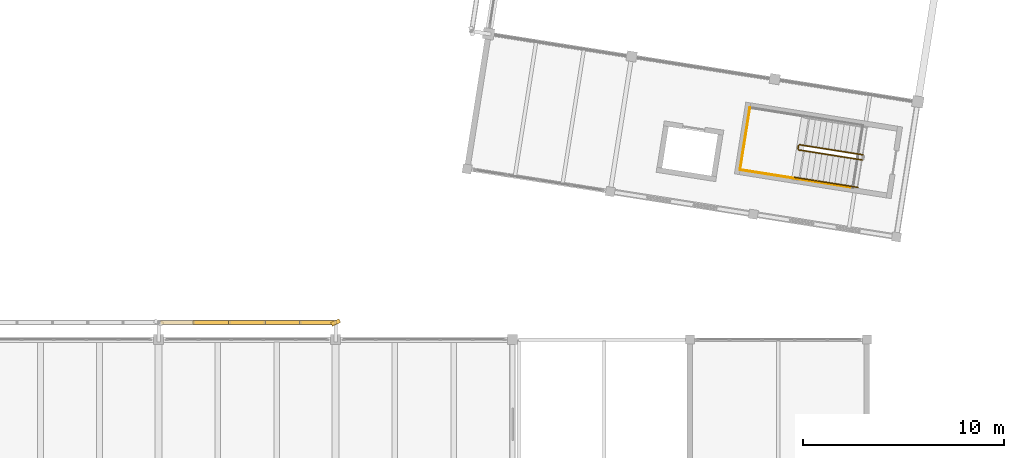
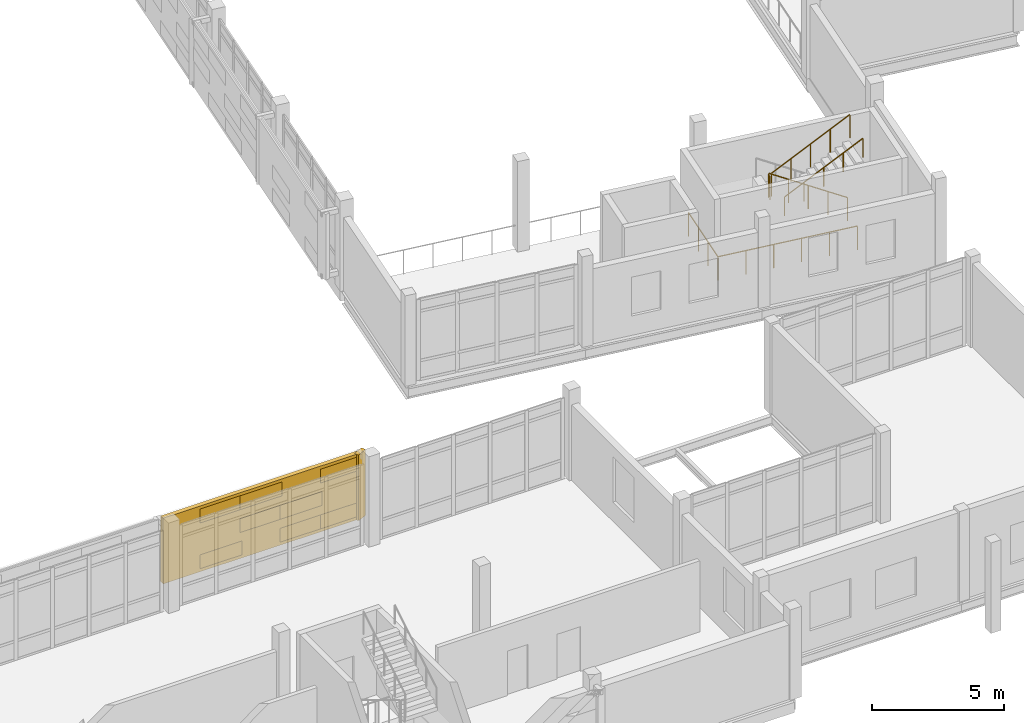
# One storey, part 127 of 137: 9 coverings, 6 railings, 1 shading device.
"""IFC4 building model written with IfcOpenShell, lengths in metres."""

from ifc_helpers import new_model, si_unit, direction, frame, origin, origin_2d, place, context, subcontext, project, spatial, rectangle, circle, extrude, material, layer, layer_set, type_object, element, save


model = new_model("IFC4")

# Units and contexts
model_context = context("Model", 3, precision=1e-05, world=origin(), true_north=direction((0.0, 1.0)))
body_context = subcontext(model_context, "Body", "Model", "MODEL_VIEW")
ifc_project = project(units=[si_unit("LENGTHUNIT", "METRE"), si_unit("AREAUNIT", "SQUARE_METRE"), si_unit("VOLUMEUNIT", "CUBIC_METRE"), si_unit("PLANEANGLEUNIT", "RADIAN"), si_unit("MASSUNIT", "GRAM", prefix="KILO")], contexts=[model_context])

# Site, building, storey
site_placement = place(None, origin())
site = spatial("IfcSite", under=ifc_project, at=site_placement, CompositionType="ELEMENT")
building_placement = place(site_placement, origin())
building = spatial("IfcBuilding", under=site, at=building_placement, Name="Cinderway Yard Community Centre", CompositionType="ELEMENT")
storey_placement = place(building_placement, frame((0.0, 0.0, 4.800048828125)))
storey = spatial("IfcBuildingStorey", under=building, at=storey_placement, Name="L01", CompositionType="ELEMENT", Elevation=4.800048828125)

# Coverings
ifc_material_1 = material(Name="Brick Masonry", Category="masonry")
ifc_layer = layer(ifc_material_1, 0.18994140625, Name="Brick Masonry")
ifc_layer_set = layer_set([ifc_layer], Name="Brick Masonry")
covering_type = type_object("IfcCoveringType", Name="ENV-COV-BRK-SCREEN", PredefinedType="CLADDING", material=ifc_layer_set)
covering_placement = place(storey_placement, frame((110.39990234375, 23.64990234375, 0.64990234375), z_axis=(0.0, 0.0, 1.0), x_axis=(0.913545457643, 0.406736643076, 0.0)))
element("IfcCovering", 1, at=covering_placement, inside=storey, type_object=covering_type, Name="Deconstructivist folded brick fin 0818", PredefinedType="CLADDING", context=body_context, shape_type="SweptSolid", body=[
    extrude(rectangle(XDim=0.4599609375, YDim=0.199951171875, at=origin_2d()), origin(), (0.0, 0.0, 1.0), 3.050048828125),
])
for number, where, z_axis, x_axis, name in (
    (2, (104.239990234375, 23.64990234375, 0.7900390625), (0.0, 0.0, 1.0), (1.0, 0.0, 0.0), "Open-bond perforated brick screen course 00870"),
    (3, (107.760009765625, 23.64990234375, 0.7900390625), (0.0, 0.0, 1.0), (1.0, 0.0, 0.0), "Open-bond perforated brick screen course 00871"),
    (4, (109.52001953125, 23.64990234375, 0.7900390625), (0.0, 0.0, 1.0), (1.0, 0.0, 0.0), "Open-bond perforated brick screen course 00872"),
    (5, (106.0, 23.64990234375, 1.85205078125), (0.0, 0.0, 1.0), (1.0, 0.0, 0.0), "Open-bond perforated brick screen course 00874"),
    (6, (107.760009765625, 23.64990234375, 1.85205078125), (0.0, 0.0, 1.0), (1.0, 0.0, 0.0), "Open-bond perforated brick screen course 00875"),
    (7, (104.239990234375, 23.64990234375, 2.9140625), (0.0, 0.0, 1.0), (1.0, 0.0, 0.0), "Open-bond perforated brick screen course 00876"),
    (8, (106.0, 23.64990234375, 2.9140625), (0.0, 0.0, 1.0), (1.0, 0.0, 0.0), "Open-bond perforated brick screen course 00877"),
    (9, (109.52001953125, 23.64990234375, 2.9140625), (0.0, 0.0, 1.0), (1.0, 0.0, 0.0), "Open-bond perforated brick screen course 00878"),
):
    element("IfcCovering", number, at=place(storey_placement, frame(where, z_axis=z_axis, x_axis=x_axis)), inside=storey, type_object=covering_type, Name=name, PredefinedType="CLADDING", context=body_context, shape_type="SweptSolid", body=[
        extrude(rectangle(XDim=1.840087890625, YDim=0.18994140625, at=origin_2d()), origin(), (0.0, 0.0, 1.0), 0.64599609375),
    ])

# Shading device
shading_device_type = type_object("IfcShadingDeviceType", Name="ENV-SHD-BRICKSCREEN-A", PredefinedType="USERDEFINED", material=ifc_material_1)
shading_device_placement = place(storey_placement, frame((106.0, 23.64990234375, 0.64990234375), z_axis=(0.0, 0.0, 1.0), x_axis=(1.0, 0.0, 0.0)))
element("IfcShadingDevice", 10, at=shading_device_placement, inside=storey, type_object=shading_device_type, Name="V3 Courtyard Perforated Brick Screen 0641", ObjectType="PERFORATED BRICK SCREEN", PredefinedType="USERDEFINED", context=body_context, shape_type="SweptSolid", body=[
    extrude(rectangle(XDim=8.60009765625, YDim=0.18994140625, at=origin_2d()), origin(), (0.0, 0.0, 1.0), 3.050048828125),
])

# Railings
ifc_material_2 = material(Name="Painted Galvanised Steel", Category="steel")
railing_type_1 = type_object("IfcRailingType", Name="INT-RAL-GRD112", PredefinedType="GUARDRAIL", material=ifc_material_2)
railing_1_placement = place(storey_placement, frame((136.6083984375, 31.985107421875, 0.175048828125)))
element("IfcRailing", 11, at=railing_1_placement, inside=storey, type_object=railing_type_1, Name="L01 ST-07 stair guard 1", PredefinedType="GUARDRAIL", context=body_context, shape_type="SweptSolid", body=[
    extrude(circle(Radius=0.02392578125, at=origin_2d()), frame((0.0, 0.0, 1.076171875), z_axis=(-0.8456625893, 0.133942993609, 0.516637261065), x_axis=(-0.156438108382, -0.98768776354, 0.0)), (0.0, 0.0, 1.0), 3.7255859375),
    extrude(circle(Radius=0.02099609375, at=origin_2d()), origin(), (0.0, 0.0, 1.0), 1.052001953125),
    extrude(circle(Radius=0.02099609375, at=origin_2d()), frame((-0.78759765625, 0.124755859375, 0.481201171875)), (0.0, 0.0, 1.0), 1.052001953125),
    extrude(circle(Radius=0.02099609375, at=origin_2d()), frame((-1.5751953125, 0.24951171875, 0.96240234375)), (0.0, 0.0, 1.0), 1.052001953125),
    extrude(circle(Radius=0.02099609375, at=origin_2d()), frame((-2.363037109375, 0.374267578125, 1.443603515625)), (0.0, 0.0, 1.0), 1.052001953125),
    extrude(circle(Radius=0.02099609375, at=origin_2d()), frame((-3.150634765625, 0.4990234375, 1.9248046875)), (0.0, 0.0, 1.0), 1.052001953125),
])
railing_2_placement = place(storey_placement, frame((133.400634765625, 32.442626953125, 2.099853515625)))
element("IfcRailing", 12, at=railing_2_placement, inside=storey, type_object=railing_type_1, Name="L01 ST-07 stair guard 2", PredefinedType="GUARDRAIL", context=body_context, shape_type="SweptSolid", body=[
    extrude(circle(Radius=0.02392578125, at=origin_2d()), frame((0.0, 0.0, 1.076171875), z_axis=(-0.157216549872, -0.987564153079, 0.0), x_axis=(0.987564153079, -0.157216549872, 0.0)), (0.0, 0.0, 1.0), 0.159912109375),
    extrude(circle(Radius=0.02099609375, at=origin_2d()), origin(), (0.0, 0.0, 1.0), 1.052001953125),
    extrude(circle(Radius=0.02099609375, at=origin_2d()), frame((-0.025146484375, -0.157958984375, 0.0)), (0.0, 0.0, 1.0), 1.052001953125),
])
railing_3_placement = place(storey_placement, frame((133.417236328125, 32.227294921875, 2.27490234375)))
element("IfcRailing", 13, at=railing_3_placement, inside=storey, type_object=railing_type_1, Name="L01 ST-07 stair guard 3", PredefinedType="GUARDRAIL", context=body_context, shape_type="SweptSolid", body=[
    extrude(circle(Radius=0.02392578125, at=origin_2d()), frame((0.0, 0.0, 1.076171875), z_axis=(0.845633958899, -0.133938458891, 0.51668529763), x_axis=(0.156438108382, 0.98768776354, 0.0)), (0.0, 0.0, 1.0), 3.725830078125),
    extrude(circle(Radius=0.02099609375, at=origin_2d()), origin(), (0.0, 0.0, 1.0), 1.052001953125),
    extrude(circle(Radius=0.02099609375, at=origin_2d()), frame((0.78759765625, -0.124755859375, 0.481201171875)), (0.0, 0.0, 1.0), 1.052001953125),
    extrude(circle(Radius=0.02099609375, at=origin_2d()), frame((1.5751953125, -0.24951171875, 0.96240234375)), (0.0, 0.0, 1.0), 1.052001953125),
    extrude(circle(Radius=0.02099609375, at=origin_2d()), frame((2.363037109375, -0.374267578125, 1.44384765625)), (0.0, 0.0, 1.0), 1.052001953125),
    extrude(circle(Radius=0.02099609375, at=origin_2d()), frame((3.150634765625, -0.4990234375, 1.925048828125)), (0.0, 0.0, 1.0), 1.052001953125),
])
railing_4_placement = place(storey_placement, frame((130.985107421875, 34.323974609375, 0.0)))
element("IfcRailing", 14, at=railing_4_placement, inside=storey, type_object=railing_type_1, Name="Service void perimeter guard L01 063", PredefinedType="GUARDRAIL", context=body_context, shape_type="SweptSolid", body=[
    extrude(circle(Radius=0.02392578125, at=origin_2d()), frame((0.0, 0.0, 1.09619140625), z_axis=(-0.156400487121, -0.98769372157, 0.0), x_axis=(0.98769372157, -0.156400487121, 0.0)), (0.0, 0.0, 1.0), 3.120361328125),
    extrude(circle(Radius=0.02099609375, at=origin_2d()), origin(), (0.0, 0.0, 1.0), 1.072021484375),
    extrude(circle(Radius=0.02099609375, at=origin_2d()), frame((-0.16259765625, -1.02734375, 0.0)), (0.0, 0.0, 1.0), 1.072021484375),
    extrude(circle(Radius=0.02099609375, at=origin_2d()), frame((-0.325439453125, -2.0546875, 0.0)), (0.0, 0.0, 1.0), 1.072021484375),
    extrude(circle(Radius=0.02099609375, at=origin_2d()), frame((-0.488037109375, -3.08203125, 0.0)), (0.0, 0.0, 1.0), 1.072021484375),
])
railing_5_placement = place(storey_placement, frame((130.4970703125, 31.241943359375, 0.0)))
element("IfcRailing", 15, at=railing_5_placement, inside=storey, type_object=railing_type_1, Name="Service void perimeter guard L01 064", PredefinedType="GUARDRAIL", context=body_context, shape_type="SweptSolid", body=[
    extrude(circle(Radius=0.02392578125, at=origin_2d()), frame((0.0, 0.0, 1.09619140625), z_axis=(0.987703994139, -0.15633560043, 0.0), x_axis=(0.15633560043, 0.987703994139, 0.0)), (0.0, 0.0, 1.0), 5.6796875),
    extrude(circle(Radius=0.02099609375, at=origin_2d()), origin(), (0.0, 0.0, 1.0), 1.072021484375),
    extrude(circle(Radius=0.02099609375, at=origin_2d()), frame((1.1220703125, -0.177490234375, 0.0)), (0.0, 0.0, 1.0), 1.072021484375),
    extrude(circle(Radius=0.02099609375, at=origin_2d()), frame((2.243896484375, -0.355224609375, 0.0)), (0.0, 0.0, 1.0), 1.072021484375),
    extrude(circle(Radius=0.02099609375, at=origin_2d()), frame((3.365966796875, -0.53271484375, 0.0)), (0.0, 0.0, 1.0), 1.072021484375),
    extrude(circle(Radius=0.02099609375, at=origin_2d()), frame((4.48779296875, -0.71044921875, 0.0)), (0.0, 0.0, 1.0), 1.072021484375),
    extrude(circle(Radius=0.02099609375, at=origin_2d()), frame((5.60986328125, -0.887939453125, 0.0)), (0.0, 0.0, 1.0), 1.072021484375),
])
railing_type_2 = type_object("IfcRailingType", Name="INT-RAL-HND090", PredefinedType="HANDRAIL", material=ifc_material_2)
railing_6_placement = place(storey_placement, frame((133.201171875, 30.8642578125, 2.27490234375)))
element("IfcRailing", 16, at=railing_6_placement, inside=storey, type_object=railing_type_2, Name="L01 ST-07 stair handrail 2", PredefinedType="HANDRAIL", context=body_context, shape_type="SweptSolid", body=[
    extrude(circle(Radius=0.02392578125, at=origin_2d()), frame((0.0, 0.0, 0.8759765625), z_axis=(0.845652626377, -0.133931037371, 0.516656668137), x_axis=(0.156426283646, 0.987689636366, 0.0)), (0.0, 0.0, 1.0), 3.72607421875),
    extrude(circle(Radius=0.02099609375, at=origin_2d()), origin(), (0.0, 0.0, 1.0), 0.851806640625),
    extrude(circle(Radius=0.02099609375, at=origin_2d()), frame((0.78759765625, -0.124755859375, 0.481201171875)), (0.0, 0.0, 1.0), 0.851806640625),
    extrude(circle(Radius=0.02099609375, at=origin_2d()), frame((1.575439453125, -0.24951171875, 0.96240234375)), (0.0, 0.0, 1.0), 0.851806640625),
    extrude(circle(Radius=0.02099609375, at=origin_2d()), frame((2.36328125, -0.374267578125, 1.44384765625)), (0.0, 0.0, 1.0), 0.851806640625),
    extrude(circle(Radius=0.02099609375, at=origin_2d()), frame((3.15087890625, -0.4990234375, 1.925048828125)), (0.0, 0.0, 1.0), 0.851806640625),
])

save(model, "model.ifc")
